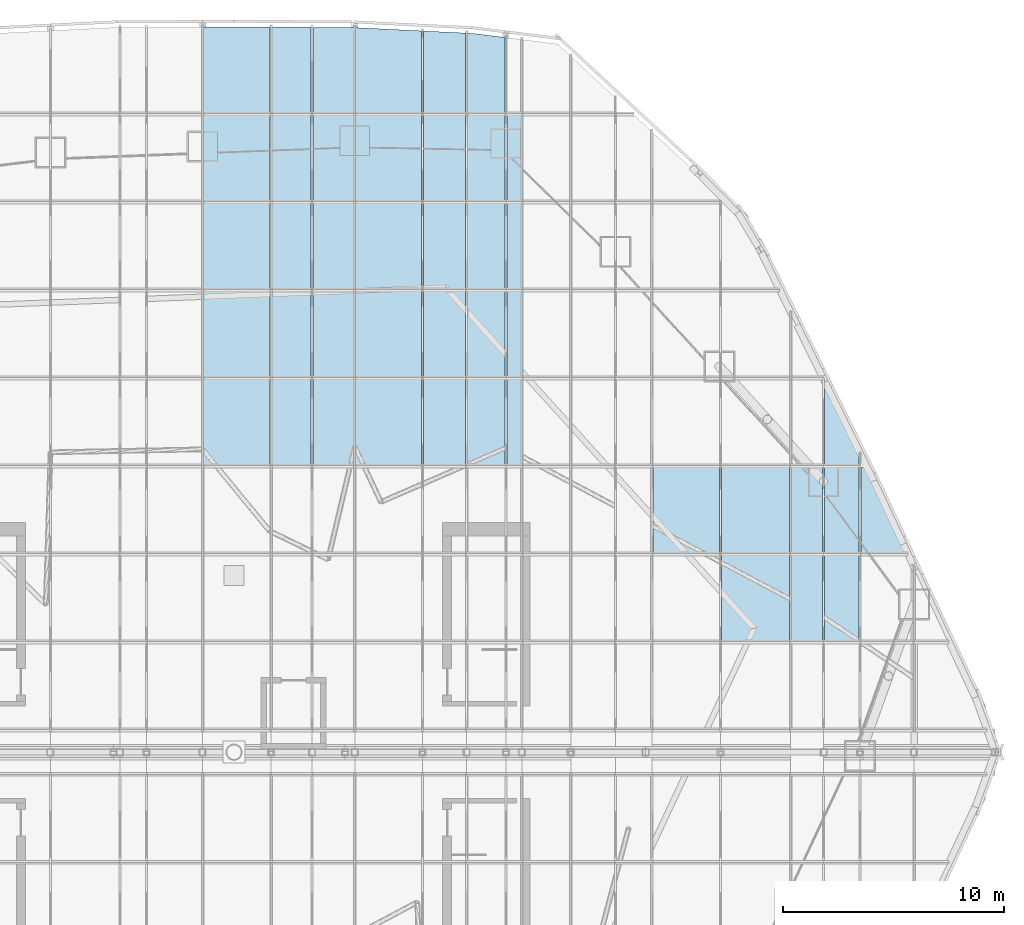
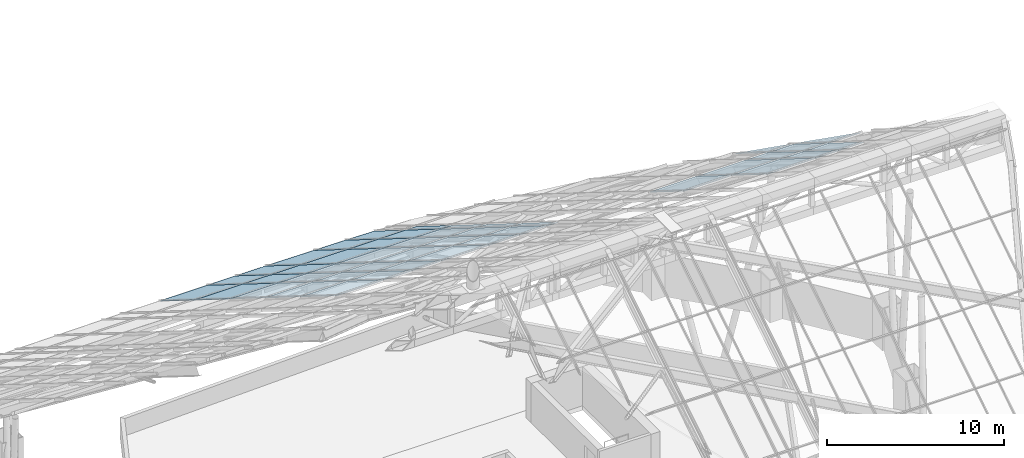
# One storey, part 34 of 38: 43 plates, 43 elements without a shape of their own.
"""IFC4 building model written with IfcOpenShell, lengths in metres."""

from ifc_helpers import new_model, si_unit, direction, frame, origin, place, context, subcontext, project, spatial, polyline, outline, extrude, material, layer, layer_set, type_object, element, aggregate, save


model = new_model("IFC4")

# Units and contexts
model_context = context("Model", 3, precision=1e-05, world=origin(), true_north=direction((0.0, 1.0)))
body_context = subcontext(model_context, "Body", "Model", "MODEL_VIEW")
ifc_project = project(units=[si_unit("LENGTHUNIT", "METRE"), si_unit("AREAUNIT", "SQUARE_METRE"), si_unit("VOLUMEUNIT", "CUBIC_METRE"), si_unit("PLANEANGLEUNIT", "RADIAN"), si_unit("MASSUNIT", "GRAM", prefix="KILO")], contexts=[model_context])

# Site, building, storey
site_placement = place(None, origin())
site = spatial("IfcSite", under=ifc_project, at=site_placement, CompositionType="ELEMENT")
building_placement = place(site_placement, origin())
building = spatial("IfcBuilding", under=site, at=building_placement, Name="Dongbaek Canopy Tower", CompositionType="ELEMENT")
storey_placement = place(building_placement, frame((0.0, 0.0, 375.800048828125)))
storey = spatial("IfcBuildingStorey", under=building, at=storey_placement, Name="Roof", CompositionType="ELEMENT", Elevation=375.800048828125)

# Curtain wall, plate
ifc_material_1 = material(Name="Aluminium 6063-T6 pale anodised", Category="aluminium")
ifc_layer_1 = layer(ifc_material_1, 0.199951171875)
ifc_layer_set_1 = layer_set([ifc_layer_1], Name="CW-6 canopy glazing curtain wall")
curtain_wall_type = type_object("IfcCurtainWallType", Name="CW-6 canopy glazing curtain wall", PredefinedType="NOTDEFINED", material=ifc_layer_set_1)
curtain_wall_1_placement = place(storey_placement, origin())
curtain_wall_1 = element("IfcCurtainWall", 1, at=curtain_wall_1_placement, inside=storey, type_object=curtain_wall_type, Name="CW-6 canopy glazing north 16.4", PredefinedType="NOTDEFINED")
ifc_material_2 = material(Name="Clear laminated glass", Category="glass")
ifc_layer_2 = layer(ifc_material_2, 0.0400390625)
ifc_layer_set_2 = layer_set([ifc_layer_2], Name="CW-6 glazed panel 40")
plate_type = type_object("IfcPlateType", Name="CW-6 glazed panel 40", PredefinedType="CURTAIN_PANEL", material=ifc_layer_set_2)
plate_1_placement = place(storey_placement, frame((1.639892578125, 13.001708984375, 10.622802734375), z_axis=(0.0, 0.52990827259, 0.848054964398), x_axis=(-1.0, 0.0, 0.0)))
plate_1 = element("IfcPlate", 2, at=plate_1_placement, type_object=plate_type, Name="CW-6 panel N16.4", PredefinedType="CURTAIN_PANEL", context=body_context, shape_type="SweptSolid", body=[
    extrude(outline(polyline([(0.0, 0.0), (3.014892578125, 0.0), (3.014892578125, -4.59893125811938), (0.0, -4.59893125811938), (0.0, 0.0)])), origin(), (0.0, 0.0, -1.0), 0.0400390625),
])
aggregate(curtain_wall_1, [plate_1])

curtain_wall_2_placement = place(storey_placement, origin())
curtain_wall_2 = element("IfcCurtainWall", 3, at=curtain_wall_2_placement, inside=storey, type_object=curtain_wall_type, Name="CW-6 canopy glazing north 16.5", PredefinedType="NOTDEFINED")
plate_2_placement = place(storey_placement, frame((1.639892578125, 16.98779296875, 8.132080078125), z_axis=(0.0, 0.529946450558, 0.848031107649), x_axis=(-1.0, 0.0, 0.0)))
plate_2 = element("IfcPlate", 4, at=plate_2_placement, type_object=plate_type, Name="CW-6 panel N16.5", PredefinedType="CURTAIN_PANEL", context=body_context, shape_type="SweptSolid", body=[
    extrude(outline(polyline([(0.0, 0.0), (3.014892578125, 0.0), (3.014892578125, -4.599060634916705), (0.0, -4.599060634916705), (0.0, 0.0)])), origin(), (0.0, 0.0, -1.0), 0.0400390625),
])
aggregate(curtain_wall_2, [plate_2])

curtain_wall_3_placement = place(storey_placement, origin())
curtain_wall_3 = element("IfcCurtainWall", 5, at=curtain_wall_3_placement, inside=storey, type_object=curtain_wall_type, Name="CW-6 canopy glazing north 16.6", PredefinedType="NOTDEFINED")
plate_3_placement = place(storey_placement, frame((1.639892578125, 20.97412109375, 5.64111328125), z_axis=(0.0, 0.52990827259, 0.848054964398), x_axis=(-1.0, 0.0, 0.0)))
plate_3 = element("IfcPlate", 6, at=plate_3_placement, type_object=plate_type, Name="CW-6 panel N16.6", PredefinedType="CURTAIN_PANEL", context=body_context, shape_type="SweptSolid", body=[
    extrude(outline(polyline([(0.0, 0.0), (3.014892578125, 0.0), (3.014892578125, -4.59893125811938), (0.0, -4.59893125811938), (0.0, 0.0)])), origin(), (0.0, 0.0, -1.0), 0.0400390625),
])
aggregate(curtain_wall_3, [plate_3])

curtain_wall_4_placement = place(storey_placement, origin())
curtain_wall_4 = element("IfcCurtainWall", 7, at=curtain_wall_4_placement, inside=storey, type_object=curtain_wall_type, Name="CW-6 canopy glazing north 16.7", PredefinedType="NOTDEFINED")
plate_4_placement = place(storey_placement, frame((1.639892578125, 24.960205078125, 3.150390625), z_axis=(0.0, 0.529946450558, 0.848031107649), x_axis=(-1.0, 0.0, 0.0)))
plate_4 = element("IfcPlate", 8, at=plate_4_placement, type_object=plate_type, Name="CW-6 panel N16.7", PredefinedType="CURTAIN_PANEL", context=body_context, shape_type="SweptSolid", body=[
    extrude(outline(polyline([(0.0, 0.0), (3.014892578125, 0.0), (3.014892578125, -4.599060634916705), (0.0, -4.599060634916705), (0.0, 0.0)])), origin(), (0.0, 0.0, -1.0), 0.0400390625),
])
aggregate(curtain_wall_4, [plate_4])

curtain_wall_5_placement = place(storey_placement, origin())
curtain_wall_5 = element("IfcCurtainWall", 9, at=curtain_wall_5_placement, inside=storey, type_object=curtain_wall_type, Name="CW-6 canopy glazing north 16.8", PredefinedType="NOTDEFINED")
plate_5_placement = place(storey_placement, frame((1.639892578125, 32.839599609375, -1.773193359375), z_axis=(-1.7203463e-05, 0.529914940365, 0.84805079782), x_axis=(-4.2e-11, -0.848050797945, 0.529914940443)))
plate_5 = element("IfcPlate", 10, at=plate_5_placement, type_object=plate_type, Name="CW-6 panel N16.8", PredefinedType="CURTAIN_PANEL", context=body_context, shape_type="SweptSolid", body=[
    extrude(outline(polyline([(0.0, 0.0), (4.5905982643081895, 6.776263578034403e-21), (4.590598264433668, -3.0148925776788573), (-0.0012162957761592053, -3.014892579461804), (-0.008332993600786657, -1.63989257745167), (0.0, 0.0)])), origin(), (0.0, 0.0, -1.0), 0.0400390625),
])
aggregate(curtain_wall_5, [plate_5])

curtain_wall_6_placement = place(storey_placement, origin())
curtain_wall_6 = element("IfcCurtainWall", 11, at=curtain_wall_6_placement, inside=storey, type_object=curtain_wall_type, Name="CW-6 canopy glazing north 17.4", PredefinedType="NOTDEFINED")
plate_6_placement = place(storey_placement, frame((3.4921875, 13.001708984375, 10.622802734375), z_axis=(0.0, 0.52990827259, 0.848054964398), x_axis=(-1.0, 0.0, 0.0)))
plate_6 = element("IfcPlate", 12, at=plate_6_placement, type_object=plate_type, Name="CW-6 panel N17.4", PredefinedType="CURTAIN_PANEL", context=body_context, shape_type="SweptSolid", body=[
    extrude(outline(polyline([(0.0, 0.0), (1.76611328125, 0.0), (1.76611328125, -4.59893125811938), (0.0, -4.59893125811938), (0.0, 0.0)])), origin(), (0.0, 0.0, -1.0), 0.0400390625),
])
aggregate(curtain_wall_6, [plate_6])

curtain_wall_7_placement = place(storey_placement, origin())
curtain_wall_7 = element("IfcCurtainWall", 13, at=curtain_wall_7_placement, inside=storey, type_object=curtain_wall_type, Name="CW-6 canopy glazing north 17.5", PredefinedType="NOTDEFINED")
plate_7_placement = place(storey_placement, frame((3.4921875, 16.98779296875, 8.132080078125), z_axis=(0.0, 0.529946450558, 0.848031107649), x_axis=(-1.0, 0.0, 0.0)))
plate_7 = element("IfcPlate", 14, at=plate_7_placement, type_object=plate_type, Name="CW-6 panel N17.5", PredefinedType="CURTAIN_PANEL", context=body_context, shape_type="SweptSolid", body=[
    extrude(outline(polyline([(0.0, 0.0), (1.76611328125, 0.0), (1.76611328125, -4.599060634916704), (0.0, -4.599060634916704), (0.0, 0.0)])), origin(), (0.0, 0.0, -1.0), 0.0400390625),
])
aggregate(curtain_wall_7, [plate_7])

curtain_wall_8_placement = place(storey_placement, origin())
curtain_wall_8 = element("IfcCurtainWall", 15, at=curtain_wall_8_placement, inside=storey, type_object=curtain_wall_type, Name="CW-6 canopy glazing north 17.6", PredefinedType="NOTDEFINED")
plate_8_placement = place(storey_placement, frame((3.4921875, 20.97412109375, 5.64111328125), z_axis=(0.0, 0.52990827259, 0.848054964398), x_axis=(-1.0, 0.0, 0.0)))
plate_8 = element("IfcPlate", 16, at=plate_8_placement, type_object=plate_type, Name="CW-6 panel N17.6", PredefinedType="CURTAIN_PANEL", context=body_context, shape_type="SweptSolid", body=[
    extrude(outline(polyline([(0.0, 0.0), (1.76611328125, 0.0), (1.76611328125, -4.59893125811938), (0.0, -4.59893125811938), (0.0, 0.0)])), origin(), (0.0, 0.0, -1.0), 0.0400390625),
])
aggregate(curtain_wall_8, [plate_8])

curtain_wall_9_placement = place(storey_placement, origin())
curtain_wall_9 = element("IfcCurtainWall", 17, at=curtain_wall_9_placement, inside=storey, type_object=curtain_wall_type, Name="CW-6 canopy glazing north 17.7", PredefinedType="NOTDEFINED")
plate_9_placement = place(storey_placement, frame((3.4921875, 24.960205078125, 3.150390625), z_axis=(0.0, 0.529946450558, 0.848031107649), x_axis=(-1.0, 0.0, 0.0)))
plate_9 = element("IfcPlate", 18, at=plate_9_placement, type_object=plate_type, Name="CW-6 panel N17.7", PredefinedType="CURTAIN_PANEL", context=body_context, shape_type="SweptSolid", body=[
    extrude(outline(polyline([(0.0, 0.0), (1.76611328125, 0.0), (1.76611328125, -4.599060634916704), (0.0, -4.599060634916704), (0.0, 0.0)])), origin(), (0.0, 0.0, -1.0), 0.0400390625),
])
aggregate(curtain_wall_9, [plate_9])

curtain_wall_10_placement = place(storey_placement, origin())
curtain_wall_10 = element("IfcCurtainWall", 19, at=curtain_wall_10_placement, inside=storey, type_object=curtain_wall_type, Name="CW-6 canopy glazing north 17.8", PredefinedType="NOTDEFINED")
plate_10_placement = place(storey_placement, frame((3.4921875, 28.946533203125, 0.659423828125), z_axis=(-2.35521e-07, 0.529922364394, 0.848046158953), x_axis=(-1.0, -1.24808e-07, -1.99733e-07)))
plate_10 = element("IfcPlate", 20, at=plate_10_placement, type_object=plate_type, Name="CW-6 panel N17.8", PredefinedType="CURTAIN_PANEL", context=body_context, shape_type="SweptSolid", body=[
    extrude(outline(polyline([(0.0, 0.0), (1.7661132812499512, 0.0), (1.766113281250049, -4.59005480341927), (-9.796659041143936e-14, -4.580841931257557), (0.0, 0.0)])), origin(), (0.0, 0.0, -1.0), 0.0400390625),
])
aggregate(curtain_wall_10, [plate_10])

curtain_wall_11_placement = place(storey_placement, origin())
curtain_wall_11 = element("IfcCurtainWall", 21, at=curtain_wall_11_placement, inside=storey, type_object=curtain_wall_type, Name="CW-6 canopy glazing north 18.4", PredefinedType="NOTDEFINED")
plate_11_placement = place(storey_placement, frame((5.427978515625, 13.001708984375, 10.622802734375), z_axis=(0.0, 0.52990827259, 0.848054964398), x_axis=(-1.0, 0.0, 0.0)))
plate_11 = element("IfcPlate", 22, at=plate_11_placement, type_object=plate_type, Name="CW-6 panel N18.4", PredefinedType="CURTAIN_PANEL", context=body_context, shape_type="SweptSolid", body=[
    extrude(outline(polyline([(0.0, 0.0), (1.849609375, 0.0), (1.849609375, -4.59893125811938), (0.0, -4.59893125811938), (0.0, 0.0)])), origin(), (0.0, 0.0, -1.0), 0.0400390625),
])
aggregate(curtain_wall_11, [plate_11])

curtain_wall_12_placement = place(storey_placement, origin())
curtain_wall_12 = element("IfcCurtainWall", 23, at=curtain_wall_12_placement, inside=storey, type_object=curtain_wall_type, Name="CW-6 canopy glazing north 18.5", PredefinedType="NOTDEFINED")
plate_12_placement = place(storey_placement, frame((5.427978515625, 16.98779296875, 8.132080078125), z_axis=(0.0, 0.529946450558, 0.848031107649), x_axis=(-1.0, 0.0, 0.0)))
plate_12 = element("IfcPlate", 24, at=plate_12_placement, type_object=plate_type, Name="CW-6 panel N18.5", PredefinedType="CURTAIN_PANEL", context=body_context, shape_type="SweptSolid", body=[
    extrude(outline(polyline([(0.0, 0.0), (1.849609375, 0.0), (1.849609375, -4.599060634916705), (0.0, -4.599060634916705), (0.0, 0.0)])), origin(), (0.0, 0.0, -1.0), 0.0400390625),
])
aggregate(curtain_wall_12, [plate_12])

curtain_wall_13_placement = place(storey_placement, origin())
curtain_wall_13 = element("IfcCurtainWall", 25, at=curtain_wall_13_placement, inside=storey, type_object=curtain_wall_type, Name="CW-6 canopy glazing north 18.6", PredefinedType="NOTDEFINED")
plate_13_placement = place(storey_placement, frame((5.427978515625, 20.97412109375, 5.64111328125), z_axis=(0.0, 0.52990827259, 0.848054964398), x_axis=(-1.0, 0.0, 0.0)))
plate_13 = element("IfcPlate", 26, at=plate_13_placement, type_object=plate_type, Name="CW-6 panel N18.6", PredefinedType="CURTAIN_PANEL", context=body_context, shape_type="SweptSolid", body=[
    extrude(outline(polyline([(0.0, 0.0), (1.849609375, 0.0), (1.849609375, -4.59893125811938), (0.0, -4.59893125811938), (0.0, 0.0)])), origin(), (0.0, 0.0, -1.0), 0.0400390625),
])
aggregate(curtain_wall_13, [plate_13])

curtain_wall_14_placement = place(storey_placement, origin())
curtain_wall_14 = element("IfcCurtainWall", 27, at=curtain_wall_14_placement, inside=storey, type_object=curtain_wall_type, Name="CW-6 canopy glazing north 18.7", PredefinedType="NOTDEFINED")
plate_14_placement = place(storey_placement, frame((5.427978515625, 24.960205078125, 3.150390625), z_axis=(0.0, 0.529946450558, 0.848031107649), x_axis=(-1.0, 0.0, 0.0)))
plate_14 = element("IfcPlate", 28, at=plate_14_placement, type_object=plate_type, Name="CW-6 panel N18.7", PredefinedType="CURTAIN_PANEL", context=body_context, shape_type="SweptSolid", body=[
    extrude(outline(polyline([(0.0, 0.0), (1.849609375, 0.0), (1.849609375, -4.599060634916705), (0.0, -4.599060634916705), (0.0, 0.0)])), origin(), (0.0, 0.0, -1.0), 0.0400390625),
])
aggregate(curtain_wall_14, [plate_14])

curtain_wall_15_placement = place(storey_placement, origin())
curtain_wall_15 = element("IfcCurtainWall", 29, at=curtain_wall_15_placement, inside=storey, type_object=curtain_wall_type, Name="CW-6 canopy glazing north 18.8", PredefinedType="NOTDEFINED")
plate_15_placement = place(storey_placement, frame((5.427978515625, 32.81787109375, -1.759765625), z_axis=(4.1560144e-05, 0.529915863087, 0.848050220401), x_axis=(-1.009e-09, -0.848050221133, 0.529915863545)))
plate_15 = element("IfcPlate", 30, at=plate_15_placement, type_object=plate_type, Name="CW-6 panel N18.8", PredefinedType="CURTAIN_PANEL", context=body_context, shape_type="SweptSolid", body=[
    extrude(outline(polyline([(0.0, 0.0), (4.565055822355932, -1.3552527156068805e-20), (4.56505582422149, -1.8496093734026353), (-0.015449689403522739, -1.8496093798084894), (-0.006573236503854132, -0.11035156561115209), (0.0, 0.0)])), origin(), (0.0, 0.0, -1.0), 0.0400390625),
])
aggregate(curtain_wall_15, [plate_15])

curtain_wall_16_placement = place(storey_placement, origin())
curtain_wall_16 = element("IfcCurtainWall", 31, at=curtain_wall_16_placement, inside=storey, type_object=curtain_wall_type, Name="CW-6 canopy glazing north 19.4", PredefinedType="NOTDEFINED")
plate_16_placement = place(storey_placement, frame((8.490966796875, 13.001708984375, 10.622802734375), z_axis=(0.0, 0.52990827259, 0.848054964398), x_axis=(-1.0, 0.0, 0.0)))
plate_16 = element("IfcPlate", 32, at=plate_16_placement, type_object=plate_type, Name="CW-6 panel N19.4", PredefinedType="CURTAIN_PANEL", context=body_context, shape_type="SweptSolid", body=[
    extrude(outline(polyline([(0.0, 0.0), (2.97705078125, 0.0), (2.97705078125, -4.59893125811938), (0.0, -4.59893125811938), (0.0, 0.0)])), origin(), (0.0, 0.0, -1.0), 0.0400390625),
])
aggregate(curtain_wall_16, [plate_16])

curtain_wall_17_placement = place(storey_placement, origin())
curtain_wall_17 = element("IfcCurtainWall", 33, at=curtain_wall_17_placement, inside=storey, type_object=curtain_wall_type, Name="CW-6 canopy glazing north 19.5", PredefinedType="NOTDEFINED")
plate_17_placement = place(storey_placement, frame((8.490966796875, 16.98779296875, 8.132080078125), z_axis=(0.0, 0.529946450558, 0.848031107649), x_axis=(-1.0, 0.0, 0.0)))
plate_17 = element("IfcPlate", 34, at=plate_17_placement, type_object=plate_type, Name="CW-6 panel N19.5", PredefinedType="CURTAIN_PANEL", context=body_context, shape_type="SweptSolid", body=[
    extrude(outline(polyline([(0.0, 0.0), (2.97705078125, 0.0), (2.97705078125, -4.599060634916705), (0.0, -4.599060634916705), (0.0, 0.0)])), origin(), (0.0, 0.0, -1.0), 0.0400390625),
])
aggregate(curtain_wall_17, [plate_17])

curtain_wall_18_placement = place(storey_placement, origin())
curtain_wall_18 = element("IfcCurtainWall", 35, at=curtain_wall_18_placement, inside=storey, type_object=curtain_wall_type, Name="CW-6 canopy glazing north 19.6", PredefinedType="NOTDEFINED")
plate_18_placement = place(storey_placement, frame((8.490966796875, 20.97412109375, 5.64111328125), z_axis=(0.0, 0.52990827259, 0.848054964398), x_axis=(-1.0, 0.0, 0.0)))
plate_18 = element("IfcPlate", 36, at=plate_18_placement, type_object=plate_type, Name="CW-6 panel N19.6", PredefinedType="CURTAIN_PANEL", context=body_context, shape_type="SweptSolid", body=[
    extrude(outline(polyline([(0.0, 0.0), (2.97705078125, 0.0), (2.97705078125, -4.59893125811938), (0.0, -4.59893125811938), (0.0, 0.0)])), origin(), (0.0, 0.0, -1.0), 0.0400390625),
])
aggregate(curtain_wall_18, [plate_18])

curtain_wall_19_placement = place(storey_placement, origin())
curtain_wall_19 = element("IfcCurtainWall", 37, at=curtain_wall_19_placement, inside=storey, type_object=curtain_wall_type, Name="CW-6 canopy glazing north 19.7", PredefinedType="NOTDEFINED")
plate_19_placement = place(storey_placement, frame((8.490966796875, 24.960205078125, 3.150390625), z_axis=(0.0, 0.529946450558, 0.848031107649), x_axis=(-1.0, 0.0, 0.0)))
plate_19 = element("IfcPlate", 38, at=plate_19_placement, type_object=plate_type, Name="CW-6 panel N19.7", PredefinedType="CURTAIN_PANEL", context=body_context, shape_type="SweptSolid", body=[
    extrude(outline(polyline([(0.0, 0.0), (2.97705078125, 0.0), (2.97705078125, -4.599060634916705), (0.0, -4.599060634916705), (0.0, 0.0)])), origin(), (0.0, 0.0, -1.0), 0.0400390625),
])
aggregate(curtain_wall_19, [plate_19])

curtain_wall_20_placement = place(storey_placement, origin())
curtain_wall_20 = element("IfcCurtainWall", 39, at=curtain_wall_20_placement, inside=storey, type_object=curtain_wall_type, Name="CW-6 canopy glazing north 19.8", PredefinedType="NOTDEFINED")
plate_20_placement = place(storey_placement, frame((8.490966796875, 28.946533203125, 0.659423828125), z_axis=(1.9463563e-05, 0.529932714671, 0.848039691018), x_axis=(-0.999999999811, 1.0314379e-05, 1.6505874e-05)))
plate_20 = element("IfcPlate", 40, at=plate_20_placement, type_object=plate_type, Name="CW-6 panel N19.8", PredefinedType="CURTAIN_PANEL", context=body_context, shape_type="SweptSolid", body=[
    extrude(outline(polyline([(0.0, 0.0), (2.9770507806861013, 0.0), (2.9770507818138987, -4.560112968526136), (-1.1277970477877063e-09, -4.387164574376266), (0.0, 0.0)])), origin(), (0.0, 0.0, -1.0), 0.0400390625),
])
aggregate(curtain_wall_20, [plate_20])

curtain_wall_21_placement = place(storey_placement, origin())
curtain_wall_21 = element("IfcCurtainWall", 41, at=curtain_wall_21_placement, inside=storey, type_object=curtain_wall_type, Name="CW-6 canopy glazing north 20.4", PredefinedType="NOTDEFINED")
plate_21_placement = place(storey_placement, frame((10.4921875, 13.001708984375, 10.622802734375), z_axis=(0.0, 0.52990827259, 0.848054964398), x_axis=(-1.0, 0.0, 0.0)))
plate_21 = element("IfcPlate", 42, at=plate_21_placement, type_object=plate_type, Name="CW-6 panel N20.4", PredefinedType="CURTAIN_PANEL", context=body_context, shape_type="SweptSolid", body=[
    extrude(outline(polyline([(0.0, 0.0), (1.915283203125, 0.0), (1.915283203125, -4.59893125811938), (0.0, -4.59893125811938), (0.0, 0.0)])), origin(), (0.0, 0.0, -1.0), 0.0400390625),
])
aggregate(curtain_wall_21, [plate_21])

curtain_wall_22_placement = place(storey_placement, origin())
curtain_wall_22 = element("IfcCurtainWall", 43, at=curtain_wall_22_placement, inside=storey, type_object=curtain_wall_type, Name="CW-6 canopy glazing north 20.5", PredefinedType="NOTDEFINED")
plate_22_placement = place(storey_placement, frame((10.4921875, 16.98779296875, 8.132080078125), z_axis=(0.0, 0.529946450558, 0.848031107649), x_axis=(-1.0, 0.0, 0.0)))
plate_22 = element("IfcPlate", 44, at=plate_22_placement, type_object=plate_type, Name="CW-6 panel N20.5", PredefinedType="CURTAIN_PANEL", context=body_context, shape_type="SweptSolid", body=[
    extrude(outline(polyline([(0.0, 0.0), (1.915283203125, 0.0), (1.915283203125, -4.599060634916705), (0.0, -4.599060634916705), (0.0, 0.0)])), origin(), (0.0, 0.0, -1.0), 0.0400390625),
])
aggregate(curtain_wall_22, [plate_22])

curtain_wall_23_placement = place(storey_placement, origin())
curtain_wall_23 = element("IfcCurtainWall", 45, at=curtain_wall_23_placement, inside=storey, type_object=curtain_wall_type, Name="CW-6 canopy glazing north 20.6", PredefinedType="NOTDEFINED")
plate_23_placement = place(storey_placement, frame((10.4921875, 20.97412109375, 5.64111328125), z_axis=(0.0, 0.52990827259, 0.848054964398), x_axis=(-1.0, 0.0, 0.0)))
plate_23 = element("IfcPlate", 46, at=plate_23_placement, type_object=plate_type, Name="CW-6 panel N20.6", PredefinedType="CURTAIN_PANEL", context=body_context, shape_type="SweptSolid", body=[
    extrude(outline(polyline([(0.0, 0.0), (1.915283203125, 0.0), (1.915283203125, -4.59893125811938), (0.0, -4.59893125811938), (0.0, 0.0)])), origin(), (0.0, 0.0, -1.0), 0.0400390625),
])
aggregate(curtain_wall_23, [plate_23])

curtain_wall_24_placement = place(storey_placement, origin())
curtain_wall_24 = element("IfcCurtainWall", 47, at=curtain_wall_24_placement, inside=storey, type_object=curtain_wall_type, Name="CW-6 canopy glazing north 20.7", PredefinedType="NOTDEFINED")
plate_24_placement = place(storey_placement, frame((10.4921875, 24.960205078125, 3.150390625), z_axis=(0.0, 0.529946450558, 0.848031107649), x_axis=(-1.0, 0.0, 0.0)))
plate_24 = element("IfcPlate", 48, at=plate_24_placement, type_object=plate_type, Name="CW-6 panel N20.7", PredefinedType="CURTAIN_PANEL", context=body_context, shape_type="SweptSolid", body=[
    extrude(outline(polyline([(0.0, 0.0), (1.915283203125, 0.0), (1.915283203125, -4.599060634916705), (0.0, -4.599060634916705), (0.0, 0.0)])), origin(), (0.0, 0.0, -1.0), 0.0400390625),
])
aggregate(curtain_wall_24, [plate_24])

curtain_wall_25_placement = place(storey_placement, origin())
curtain_wall_25 = element("IfcCurtainWall", 49, at=curtain_wall_25_placement, inside=storey, type_object=curtain_wall_type, Name="CW-6 canopy glazing north 20.8", PredefinedType="NOTDEFINED")
plate_25_placement = place(storey_placement, frame((10.4921875, 28.946533203125, 0.659423828125), z_axis=(-9.278967e-06, 0.529925389986, 0.848044268279), x_axis=(-0.999999999957, -4.91716e-06, -7.868975e-06)))
plate_25 = element("IfcPlate", 50, at=plate_25_placement, type_object=plate_type, Name="CW-6 panel N20.8", PredefinedType="CURTAIN_PANEL", context=body_context, shape_type="SweptSolid", body=[
    extrude(outline(polyline([(0.0, 0.0), (1.915283203042548, 0.0), (1.9152832032074523, -4.382221719256217), (-1.6490442131182983e-10, -4.270787374475818), (0.0, 0.0)])), origin(), (0.0, 0.0, -1.0), 0.0400390625),
])
aggregate(curtain_wall_25, [plate_25])

curtain_wall_26_placement = place(storey_placement, origin())
curtain_wall_26 = element("IfcCurtainWall", 51, at=curtain_wall_26_placement, inside=storey, type_object=curtain_wall_type, Name="CW-6 canopy glazing north 21.4", PredefinedType="NOTDEFINED")
plate_26_placement = place(storey_placement, frame((12.27099609375, 13.001708984375, 10.622802734375), z_axis=(0.0, 0.52990827259, 0.848054964398), x_axis=(-1.0, 0.0, 0.0)))
plate_26 = element("IfcPlate", 52, at=plate_26_placement, type_object=plate_type, Name="CW-6 panel N21.4", PredefinedType="CURTAIN_PANEL", context=body_context, shape_type="SweptSolid", body=[
    extrude(outline(polyline([(0.0, 0.0), (1.692626953125, 0.0), (1.692626953125, -4.59893125811938), (0.0, -4.59893125811938), (0.0, 0.0)])), origin(), (0.0, 0.0, -1.0), 0.0400390625),
])
aggregate(curtain_wall_26, [plate_26])

curtain_wall_27_placement = place(storey_placement, origin())
curtain_wall_27 = element("IfcCurtainWall", 53, at=curtain_wall_27_placement, inside=storey, type_object=curtain_wall_type, Name="CW-6 canopy glazing north 21.5", PredefinedType="NOTDEFINED")
plate_27_placement = place(storey_placement, frame((12.27099609375, 16.98779296875, 8.132080078125), z_axis=(0.0, 0.529946450558, 0.848031107649), x_axis=(-1.0, 0.0, 0.0)))
plate_27 = element("IfcPlate", 54, at=plate_27_placement, type_object=plate_type, Name="CW-6 panel N21.5", PredefinedType="CURTAIN_PANEL", context=body_context, shape_type="SweptSolid", body=[
    extrude(outline(polyline([(0.0, 0.0), (1.692626953125, 0.0), (1.692626953125, -4.599060634916705), (0.0, -4.599060634916705), (0.0, 0.0)])), origin(), (0.0, 0.0, -1.0), 0.0400390625),
])
aggregate(curtain_wall_27, [plate_27])

curtain_wall_28_placement = place(storey_placement, origin())
curtain_wall_28 = element("IfcCurtainWall", 55, at=curtain_wall_28_placement, inside=storey, type_object=curtain_wall_type, Name="CW-6 canopy glazing north 21.6", PredefinedType="NOTDEFINED")
plate_28_placement = place(storey_placement, frame((12.27099609375, 20.97412109375, 5.64111328125), z_axis=(0.0, 0.52990827259, 0.848054964398), x_axis=(-1.0, 0.0, 0.0)))
plate_28 = element("IfcPlate", 56, at=plate_28_placement, type_object=plate_type, Name="CW-6 panel N21.6", PredefinedType="CURTAIN_PANEL", context=body_context, shape_type="SweptSolid", body=[
    extrude(outline(polyline([(0.0, 0.0), (1.692626953125, 0.0), (1.692626953125, -4.59893125811938), (0.0, -4.59893125811938), (0.0, 0.0)])), origin(), (0.0, 0.0, -1.0), 0.0400390625),
])
aggregate(curtain_wall_28, [plate_28])

curtain_wall_29_placement = place(storey_placement, origin())
curtain_wall_29 = element("IfcCurtainWall", 57, at=curtain_wall_29_placement, inside=storey, type_object=curtain_wall_type, Name="CW-6 canopy glazing north 21.7", PredefinedType="NOTDEFINED")
plate_29_placement = place(storey_placement, frame((12.27099609375, 24.960205078125, 3.150390625), z_axis=(0.0, 0.529946450558, 0.848031107649), x_axis=(-1.0, 0.0, 0.0)))
plate_29 = element("IfcPlate", 58, at=plate_29_placement, type_object=plate_type, Name="CW-6 panel N21.7", PredefinedType="CURTAIN_PANEL", context=body_context, shape_type="SweptSolid", body=[
    extrude(outline(polyline([(0.0, 0.0), (1.692626953125, 0.0), (1.692626953125, -4.599060634916705), (0.0, -4.599060634916705), (0.0, 0.0)])), origin(), (0.0, 0.0, -1.0), 0.0400390625),
])
aggregate(curtain_wall_29, [plate_29])

curtain_wall_30_placement = place(storey_placement, origin())
curtain_wall_30 = element("IfcCurtainWall", 59, at=curtain_wall_30_placement, inside=storey, type_object=curtain_wall_type, Name="CW-6 canopy glazing north 21.8", PredefinedType="NOTDEFINED")
plate_30_placement = place(storey_placement, frame((12.27099609375, 32.370361328125, -1.47998046875), z_axis=(9.327504e-06, 0.529916459275, 0.848049848831), x_axis=(4.9e-11, -0.848049848868, 0.529916459298)))
plate_30 = element("IfcPlate", 60, at=plate_30_placement, type_object=plate_type, Name="CW-6 panel N21.8", PredefinedType="CURTAIN_PANEL", context=body_context, shape_type="SweptSolid", body=[
    extrude(outline(polyline([(0.0, 0.0), (4.037282473963252, -3.3881317890172014e-21), (4.037282473879619, -1.6926269530513687), (-0.22856204691298287, -1.692626953315491), (-0.21507915622374177, -1.4619140619892699), (0.0, 0.0)])), origin(), (0.0, 0.0, -1.0), 0.0400390625),
])
aggregate(curtain_wall_30, [plate_30])

curtain_wall_31_placement = place(storey_placement, origin())
curtain_wall_31 = element("IfcCurtainWall", 61, at=curtain_wall_31_placement, inside=storey, type_object=curtain_wall_type, Name="CW-6 canopy glazing north 22.4", PredefinedType="NOTDEFINED")
plate_31_placement = place(storey_placement, frame((12.9921875, 13.001708984375, 10.622802734375), z_axis=(0.0, 0.52990827259, 0.848054964398), x_axis=(-1.0, 0.0, 0.0)))
plate_31 = element("IfcPlate", 62, at=plate_31_placement, type_object=plate_type, Name="CW-6 panel N22.4", PredefinedType="CURTAIN_PANEL", context=body_context, shape_type="SweptSolid", body=[
    extrude(outline(polyline([(0.0, 0.0), (0.63525390625, 0.0), (0.63525390625, -4.5989312581193795), (0.0, -4.5989312581193795), (0.0, 0.0)])), origin(), (0.0, 0.0, -1.0), 0.0400390625),
])
aggregate(curtain_wall_31, [plate_31])

curtain_wall_32_placement = place(storey_placement, origin())
curtain_wall_32 = element("IfcCurtainWall", 63, at=curtain_wall_32_placement, inside=storey, type_object=curtain_wall_type, Name="CW-6 canopy glazing north 22.5", PredefinedType="NOTDEFINED")
plate_32_placement = place(storey_placement, frame((12.9921875, 16.98779296875, 8.132080078125), z_axis=(0.0, 0.529946450558, 0.848031107649), x_axis=(-1.0, 0.0, 0.0)))
plate_32 = element("IfcPlate", 64, at=plate_32_placement, type_object=plate_type, Name="CW-6 panel N22.5", PredefinedType="CURTAIN_PANEL", context=body_context, shape_type="SweptSolid", body=[
    extrude(outline(polyline([(0.0, 0.0), (0.63525390625, 0.0), (0.63525390625, -4.599060634916705), (0.0, -4.599060634916705), (0.0, 0.0)])), origin(), (0.0, 0.0, -1.0), 0.0400390625),
])
aggregate(curtain_wall_32, [plate_32])

curtain_wall_33_placement = place(storey_placement, origin())
curtain_wall_33 = element("IfcCurtainWall", 65, at=curtain_wall_33_placement, inside=storey, type_object=curtain_wall_type, Name="CW-6 canopy glazing north 22.6", PredefinedType="NOTDEFINED")
plate_33_placement = place(storey_placement, frame((12.9921875, 20.97412109375, 5.64111328125), z_axis=(0.0, 0.52990827259, 0.848054964398), x_axis=(-1.0, 0.0, 0.0)))
plate_33 = element("IfcPlate", 66, at=plate_33_placement, type_object=plate_type, Name="CW-6 panel N22.6", PredefinedType="CURTAIN_PANEL", context=body_context, shape_type="SweptSolid", body=[
    extrude(outline(polyline([(0.0, 0.0), (0.63525390625, 0.0), (0.63525390625, -4.5989312581193795), (0.0, -4.5989312581193795), (0.0, 0.0)])), origin(), (0.0, 0.0, -1.0), 0.0400390625),
])
aggregate(curtain_wall_33, [plate_33])

curtain_wall_34_placement = place(storey_placement, origin())
curtain_wall_34 = element("IfcCurtainWall", 67, at=curtain_wall_34_placement, inside=storey, type_object=curtain_wall_type, Name="CW-6 canopy glazing north 22.7", PredefinedType="NOTDEFINED")
plate_34_placement = place(storey_placement, frame((12.9921875, 24.960205078125, 3.150390625), z_axis=(0.0, 0.529946450558, 0.848031107649), x_axis=(-1.0, 0.0, 0.0)))
plate_34 = element("IfcPlate", 68, at=plate_34_placement, type_object=plate_type, Name="CW-6 panel N22.7", PredefinedType="CURTAIN_PANEL", context=body_context, shape_type="SweptSolid", body=[
    extrude(outline(polyline([(0.0, 0.0), (0.63525390625, 0.0), (0.63525390625, -4.599060634916705), (0.0, -4.599060634916705), (0.0, 0.0)])), origin(), (0.0, 0.0, -1.0), 0.0400390625),
])
aggregate(curtain_wall_34, [plate_34])

curtain_wall_35_placement = place(storey_placement, origin())
curtain_wall_35 = element("IfcCurtainWall", 69, at=curtain_wall_35_placement, inside=storey, type_object=curtain_wall_type, Name="CW-6 canopy glazing north 26.3", PredefinedType="NOTDEFINED")
plate_35_placement = place(storey_placement, frame((21.9921875, 9.015380859375, 13.11376953125), z_axis=(0.0, 0.529946450558, 0.848031107649), x_axis=(-1.0, 0.0, 0.0)))
plate_35 = element("IfcPlate", 70, at=plate_35_placement, type_object=plate_type, Name="CW-6 panel N26.3", PredefinedType="CURTAIN_PANEL", context=body_context, shape_type="SweptSolid", body=[
    extrude(outline(polyline([(0.0, 0.0), (3.024169921875, 0.0), (3.024169921875, -4.599060634916705), (0.0, -4.599060634916705), (0.0, 0.0)])), origin(), (0.0, 0.0, -1.0), 0.0400390625),
])
aggregate(curtain_wall_35, [plate_35])

curtain_wall_36_placement = place(storey_placement, origin())
curtain_wall_36 = element("IfcCurtainWall", 71, at=curtain_wall_36_placement, inside=storey, type_object=curtain_wall_type, Name="CW-6 canopy glazing north 27.2", PredefinedType="NOTDEFINED")
plate_36_placement = place(storey_placement, frame((25.1669921875, 5.029296875, 15.6044921875), z_axis=(0.0, 0.52990827259, 0.848054964398), x_axis=(-1.0, 0.0, 0.0)))
plate_36 = element("IfcPlate", 72, at=plate_36_placement, type_object=plate_type, Name="CW-6 panel N27.2", PredefinedType="CURTAIN_PANEL", context=body_context, shape_type="SweptSolid", body=[
    extrude(outline(polyline([(0.0, 0.0), (3.088623046875, 0.0), (3.088623046875, -4.59893125811938), (0.0, -4.59893125811938), (0.0, 0.0)])), origin(), (0.0, 0.0, -1.0), 0.0400390625),
])
aggregate(curtain_wall_36, [plate_36])

curtain_wall_37_placement = place(storey_placement, origin())
curtain_wall_37 = element("IfcCurtainWall", 73, at=curtain_wall_37_placement, inside=storey, type_object=curtain_wall_type, Name="CW-6 canopy glazing north 27.3", PredefinedType="NOTDEFINED")
plate_37_placement = place(storey_placement, frame((25.1669921875, 9.015380859375, 13.11376953125), z_axis=(0.0, 0.529946450558, 0.848031107649), x_axis=(-1.0, 0.0, 0.0)))
plate_37 = element("IfcPlate", 74, at=plate_37_placement, type_object=plate_type, Name="CW-6 panel N27.3", PredefinedType="CURTAIN_PANEL", context=body_context, shape_type="SweptSolid", body=[
    extrude(outline(polyline([(0.0, 0.0), (3.088623046875, 0.0), (3.088623046875, -4.599060634916705), (0.0, -4.599060634916705), (0.0, 0.0)])), origin(), (0.0, 0.0, -1.0), 0.0400390625),
])
aggregate(curtain_wall_37, [plate_37])

curtain_wall_38_placement = place(storey_placement, origin())
curtain_wall_38 = element("IfcCurtainWall", 75, at=curtain_wall_38_placement, inside=storey, type_object=curtain_wall_type, Name="CW-6 canopy glazing north 28.2", PredefinedType="NOTDEFINED")
plate_38_placement = place(storey_placement, frame((26.659912109375, 5.029296875, 15.6044921875), z_axis=(0.0, 0.52990827259, 0.848054964398), x_axis=(-1.0, 0.0, 0.0)))
plate_38 = element("IfcPlate", 76, at=plate_38_placement, type_object=plate_type, Name="CW-6 panel N28.2", PredefinedType="CURTAIN_PANEL", context=body_context, shape_type="SweptSolid", body=[
    extrude(outline(polyline([(0.0, 0.0), (1.406982421875, 0.0), (1.406982421875, -4.59893125811938), (0.0, -4.59893125811938), (0.0, 0.0)])), origin(), (0.0, 0.0, -1.0), 0.0400390625),
])
aggregate(curtain_wall_38, [plate_38])

curtain_wall_39_placement = place(storey_placement, origin())
curtain_wall_39 = element("IfcCurtainWall", 77, at=curtain_wall_39_placement, inside=storey, type_object=curtain_wall_type, Name="CW-6 canopy glazing north 28.3", PredefinedType="NOTDEFINED")
plate_39_placement = place(storey_placement, frame((26.659912109375, 9.015380859375, 13.11376953125), z_axis=(0.0, 0.529946450558, 0.848031107649), x_axis=(-1.0, 0.0, 0.0)))
plate_39 = element("IfcPlate", 78, at=plate_39_placement, type_object=plate_type, Name="CW-6 panel N28.3", PredefinedType="CURTAIN_PANEL", context=body_context, shape_type="SweptSolid", body=[
    extrude(outline(polyline([(0.0, 0.0), (1.406982421875, 0.0), (1.406982421875, -4.599060634916705), (0.0, -4.599060634916705), (0.0, 0.0)])), origin(), (0.0, 0.0, -1.0), 0.0400390625),
])
aggregate(curtain_wall_39, [plate_39])

curtain_wall_40_placement = place(storey_placement, origin())
curtain_wall_40 = element("IfcCurtainWall", 79, at=curtain_wall_40_placement, inside=storey, type_object=curtain_wall_type, Name="CW-6 canopy glazing north 29.2", PredefinedType="NOTDEFINED")
plate_40_placement = place(storey_placement, frame((28.30810546875, 5.029296875, 15.6044921875), z_axis=(0.0, 0.52990827259, 0.848054964398), x_axis=(-1.0, 0.0, 0.0)))
plate_40 = element("IfcPlate", 80, at=plate_40_placement, type_object=plate_type, Name="CW-6 panel N29.2", PredefinedType="CURTAIN_PANEL", context=body_context, shape_type="SweptSolid", body=[
    extrude(outline(polyline([(0.0, 0.0), (1.56201171875, 0.0), (1.56201171875, -4.5989312581193795), (0.0, -4.5989312581193795), (0.0, 0.0)])), origin(), (0.0, 0.0, -1.0), 0.0400390625),
])
aggregate(curtain_wall_40, [plate_40])

curtain_wall_41_placement = place(storey_placement, origin())
curtain_wall_41 = element("IfcCurtainWall", 81, at=curtain_wall_41_placement, inside=storey, type_object=curtain_wall_type, Name="CW-6 canopy glazing north 29.3", PredefinedType="NOTDEFINED")
plate_41_placement = place(storey_placement, frame((28.30810546875, 9.015380859375, 13.11376953125), z_axis=(0.0, 0.529946450558, 0.848031107649), x_axis=(-1.0, 0.0, 0.0)))
plate_41 = element("IfcPlate", 82, at=plate_41_placement, type_object=plate_type, Name="CW-6 panel N29.3", PredefinedType="CURTAIN_PANEL", context=body_context, shape_type="SweptSolid", body=[
    extrude(outline(polyline([(0.0, 0.0), (1.56201171875, 0.0), (1.56201171875, -4.599060634916705), (0.0, -4.599060634916705), (0.0, 0.0)])), origin(), (0.0, 0.0, -1.0), 0.0400390625),
])
aggregate(curtain_wall_41, [plate_41])

curtain_wall_42_placement = place(storey_placement, origin())
curtain_wall_42 = element("IfcCurtainWall", 83, at=curtain_wall_42_placement, inside=storey, type_object=curtain_wall_type, Name="CW-6 canopy glazing north 29.4", PredefinedType="NOTDEFINED")
plate_42_placement = place(storey_placement, frame((28.30810546875, 13.001708984375, 10.622802734375), z_axis=(-7.4511474e-05, 0.529911052929, 0.84805322382), x_axis=(-0.999999997224, -3.9484454e-05, -6.3189696e-05)))
plate_42 = element("IfcPlate", 84, at=plate_42_placement, type_object=plate_type, Name="CW-6 panel N29.4", PredefinedType="CURTAIN_PANEL", context=body_context, shape_type="SweptSolid", body=[
    extrude(outline(polyline([(0.0, 0.0), (1.562011714413887, 0.0), (1.5620117230861132, -4.369282288471027), (-8.672226149335574e-09, -0.6249225936989402), (0.0, 0.0)])), origin(), (0.0, 0.0, -1.0), 0.0400390625),
])
aggregate(curtain_wall_42, [plate_42])

curtain_wall_43_placement = place(storey_placement, origin())
curtain_wall_43 = element("IfcCurtainWall", 85, at=curtain_wall_43_placement, inside=storey, type_object=curtain_wall_type, Name="CW-6 canopy glazing north 30.3", PredefinedType="NOTDEFINED")
plate_43_placement = place(storey_placement, frame((30.3330078125, 9.2783203125, 12.949462890625), z_axis=(-5.7146411e-05, 0.529927001822, 0.8480432592), x_axis=(0.368869741639, -0.788229011144, 0.492575009206)))
plate_43 = element("IfcPlate", 86, at=plate_43_placement, type_object=plate_type, Name="CW-6 panel N30.3", PredefinedType="CURTAIN_PANEL", context=body_context, shape_type="SweptSolid", body=[
    extrude(outline(polyline([(0.0, 0.0), (0.33357811913663854, -1.3877787807814457e-17), (-0.4270356108151406, -1.9166009152104968), (-4.7017755448795215, -0.22014661030514465), (-4.621715681520875, -0.01841108891962101), (-3.6208346225525307, -0.0011335172516377945), (0.0, 0.0)])), origin(), (0.0, 0.0, -1.0), 0.0400390625),
])
aggregate(curtain_wall_43, [plate_43])

save(model, "model.ifc")
